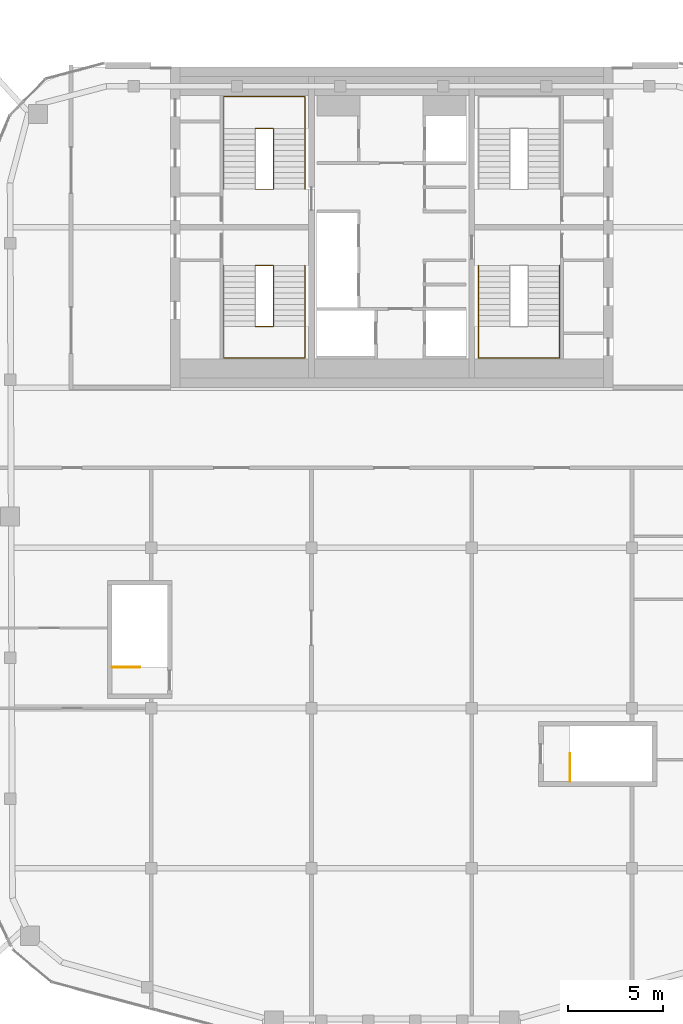
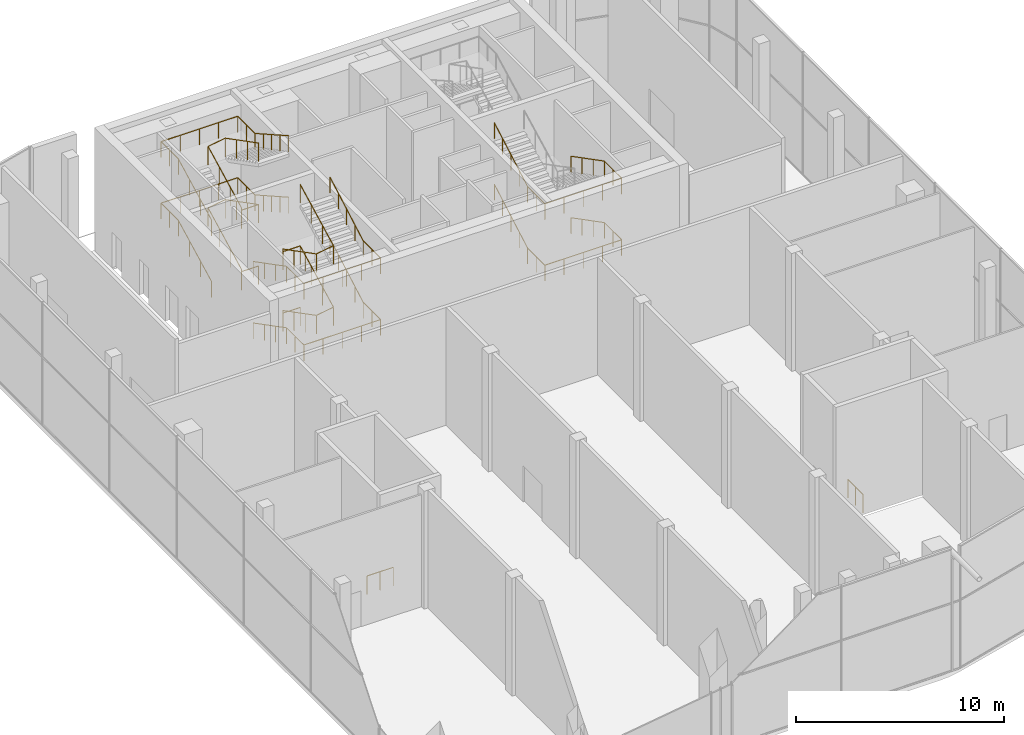
# One storey, part 22 of 23: 12 railings.
"""IFC4 building model written with IfcOpenShell, lengths in metres."""

import ifcopenshell
import ifcopenshell.guid

model = None  # the IFC model being written
_history = None  # IfcOwnerHistory: only IFC2X3 demands one
_inside = {}  # id of a spatial element -> (the spatial element, [elements in it])
_under = {}  # id of a project, library or spatial element -> (it, [spatial elements below it])
_declared = {}  # id of a project -> (the project, [libraries it declares])
_typed = {}  # id of a type object -> (the type object, [elements of that type])
_made_of = {}  # id of a material, layer set ... -> (it, [elements and type objects made of it])


def new_model(schema):
    """Start an empty IFC model of exactly this schema.

    Asked for "IFC4X3", IfcOpenShell would pick the latest addendum, in which some entities
    have other attributes; the version numbers below select the first issue.
    IFC2X3 requires an IfcOwnerHistory on every rooted entity: one is made here for all.
    """
    global model, _history
    if schema == "IFC4X3":
        model = ifcopenshell.file(schema_version=(4, 3, 0, 0))
    else:
        model = ifcopenshell.file(schema=schema)
    _inside.clear()
    _under.clear()
    _declared.clear()
    _typed.clear()
    _made_of.clear()
    _history = None
    if model.schema == "IFC2X3":
        org = make("IfcOrganization", Name="unknown")
        user = make(
            "IfcPersonAndOrganization",
            ThePerson=make("IfcPerson", FamilyName="unknown"),
            TheOrganization=org,
        )
        app = make(
            "IfcApplication",
            ApplicationDeveloper=org,
            Version="unknown",
            ApplicationFullName="unknown",
            ApplicationIdentifier="unknown",
        )
        _history = make(
            "IfcOwnerHistory",
            OwningUser=user,
            OwningApplication=app,
            ChangeAction="ADDED",
            CreationDate=0,
        )
    return model


def make(cls, **values):
    """One entity of the class cls with the attributes given. An attribute that is None is left unset."""
    return model.create_entity(
        cls, **{name: value for name, value in values.items() if value is not None}
    )


def rooted(cls, **values):
    """An entity with a GlobalId (a new one), such as an element, a storey or a relation."""
    return make(cls, GlobalId=ifcopenshell.guid.new(), OwnerHistory=_history, **values)


def si_unit(unit_type, name, prefix=None):
    """IfcSIUnit, for example si_unit("LENGTHUNIT", "METRE", prefix="MILLI")."""
    return make("IfcSIUnit", UnitType=unit_type, Prefix=prefix, Name=name)


def assignment(units):
    """IfcUnitAssignment: the units of a project."""
    return None if units is None else make("IfcUnitAssignment", Units=units)


def point(xyz):
    """IfcCartesianPoint."""
    return None if xyz is None else make("IfcCartesianPoint", Coordinates=xyz)


def direction(xyz):
    """IfcDirection."""
    return None if xyz is None else make("IfcDirection", DirectionRatios=xyz)


def frame(location, z_axis=None, x_axis=None):
    """IfcAxis2Placement3D, a coordinate frame: its origin and axes. An axis left out is left unset."""
    return make(
        "IfcAxis2Placement3D",
        Location=point(location),
        Axis=direction(z_axis),
        RefDirection=direction(x_axis),
    )


def frame_2d(location, x_axis=None):
    """IfcAxis2Placement2D, a coordinate frame in the plane: its origin and x axis."""
    return make(
        "IfcAxis2Placement2D", Location=point(location), RefDirection=direction(x_axis)
    )


def origin():
    """The frame at (0, 0, 0) with its axes left unset."""
    return frame((0.0, 0.0, 0.0))


def origin_2d():
    """The frame at (0, 0) in the plane with its x axis left unset."""
    return frame_2d((0.0, 0.0))


def place(relative_to, where):
    """IfcLocalPlacement: puts the frame where relative to a parent placement (None: the world)."""
    return make(
        "IfcLocalPlacement", PlacementRelTo=relative_to, RelativePlacement=where
    )


def context(
    kind, dimensions, precision=None, world=None, true_north=None, identifier=None
):
    """IfcGeometricRepresentationContext, for example the 3D "Model" context."""
    return make(
        "IfcGeometricRepresentationContext",
        ContextIdentifier=identifier,
        ContextType=kind,
        CoordinateSpaceDimension=dimensions,
        Precision=precision,
        WorldCoordinateSystem=world,
        TrueNorth=true_north,
    )


def subcontext(parent, identifier, kind, view, scale=None):
    """IfcGeometricRepresentationSubContext, for example "Body" below "Model"."""
    return make(
        "IfcGeometricRepresentationSubContext",
        ContextIdentifier=identifier,
        ContextType=kind,
        ParentContext=parent,
        TargetScale=scale,
        TargetView=view,
    )


def project(units=None, contexts=None):
    """IfcProject with its units and contexts."""
    return rooted(
        "IfcProject",
        Name="project",
        RepresentationContexts=contexts,
        UnitsInContext=assignment(units),
    )


def spatial(cls, under=None, at=None, **own):
    """A site, building, storey or space (cls), placed at a placement, below another one or the project."""
    s = rooted(cls, ObjectPlacement=at, **own)
    if under is not None:
        _under.setdefault(under.id(), (under, []))[1].append(s)
    return s


def profile(cls, at=None, kind="AREA", **sizes):
    """A parametric profile (cls). Its sizes go by their IFC names, for example OverallWidth=200.0."""
    return make(cls, ProfileType=kind, Position=at, **sizes)


def circle(**sizes):
    """IfcCircleProfileDef."""
    return profile("IfcCircleProfileDef", **sizes)


def extrude(swept, where, along, depth):
    """IfcExtrudedAreaSolid: the profile swept, set in the frame where, extruded along a direction by depth."""
    return make(
        "IfcExtrudedAreaSolid",
        SweptArea=swept,
        Position=where,
        ExtrudedDirection=direction(along),
        Depth=depth,
    )


def shape(context_of_items, identifier, shape_type, items):
    """IfcShapeRepresentation: the items that make up one representation, for example the "Body"."""
    return make(
        "IfcShapeRepresentation",
        ContextOfItems=context_of_items,
        RepresentationIdentifier=identifier,
        RepresentationType=shape_type,
        Items=items,
    )


def material(Name=None, Category=None):
    """IfcMaterial."""
    return make("IfcMaterial", Name=Name, Category=Category)


def made_of(thing, what):
    """Note that an element or type object is made of a material, layer set ...; save() writes the relation."""
    if what is not None:
        _made_of.setdefault(what.id(), (what, []))[1].append(thing)
    return thing


def type_object(cls, material=None, **own):
    """A type object (cls), such as IfcWallType, which elements share."""
    return made_of(rooted(cls, **own), material)


def element(
    cls,
    number,
    at=None,
    inside=None,
    cuts=None,
    type_object=None,
    material=None,
    context=None,
    identifier="Body",
    shape_type=None,
    held_by="IfcProductDefinitionShape",
    body=None,
    shapes=None,
    **own,
):
    """One element of the class cls, such as IfcWall. Its Tag is "e" and its number.

    at: its placement. inside: the storey or other place that contains it. cuts: it is an
    opening in that element (IfcRelVoidsElement). A single representation is given by context,
    identifier, shape_type and body (its items); several are given by shapes. held_by: the class
    of the entity that holds the representations. save() writes the other relations.
    """
    e = rooted(cls, Tag="e%d" % number, ObjectPlacement=at, **own)
    if body is not None:
        shapes = [shape(context, identifier, shape_type, body)]
    if shapes is not None:
        e.Representation = make(held_by, Representations=shapes)
    if inside is not None:
        _inside.setdefault(inside.id(), (inside, []))[1].append(e)
    if cuts is not None:
        rooted(
            "IfcRelVoidsElement", RelatingBuildingElement=cuts, RelatedOpeningElement=e
        )
    if type_object is not None:
        _typed.setdefault(type_object.id(), (type_object, []))[1].append(e)
    return made_of(e, material)


def aggregate(whole, parts):
    """IfcRelAggregates: a whole, such as a stair, and the parts it consists of."""
    return rooted("IfcRelAggregates", RelatingObject=whole, RelatedObjects=parts)


def save(model, path):
    """Write the relations noted so far, then the file.

    IfcRelAggregates (storeys below a building ...), IfcRelContainedInSpatialStructure (elements
    in a storey), IfcRelDefinesByType, IfcRelAssociatesMaterial and IfcRelDeclares: one each for
    every whole, place, type object, material and project.
    """
    for whole, parts in _under.values():
        aggregate(whole, parts)
    for where, things in _inside.values():
        rooted(
            "IfcRelContainedInSpatialStructure",
            RelatedElements=things,
            RelatingStructure=where,
        )
    for kind, things in _typed.values():
        rooted("IfcRelDefinesByType", RelatedObjects=things, RelatingType=kind)
    for what, things in _made_of.values():
        rooted("IfcRelAssociatesMaterial", RelatedObjects=things, RelatingMaterial=what)
    for by, libraries in _declared.values():
        rooted("IfcRelDeclares", RelatingContext=by, RelatedDefinitions=libraries)
    model.write(path)


model = new_model("IFC4")

# Units and contexts
model_context = context("Model", 3, precision=1e-05, world=origin(), true_north=direction((0.0, 1.0)))
body_context = subcontext(model_context, "Body", "Model", "MODEL_VIEW")
ifc_project = project(units=[si_unit("LENGTHUNIT", "METRE"), si_unit("AREAUNIT", "SQUARE_METRE"), si_unit("VOLUMEUNIT", "CUBIC_METRE"), si_unit("PLANEANGLEUNIT", "RADIAN"), si_unit("MASSUNIT", "GRAM", prefix="KILO")], contexts=[model_context])

# Site, building, storey
site_placement = place(None, origin())
site = spatial("IfcSite", under=ifc_project, at=site_placement, CompositionType="ELEMENT")
building_placement = place(site_placement, origin())
building = spatial("IfcBuilding", under=site, at=building_placement, Name="Marenta Gate Hotel Tower", CompositionType="ELEMENT")
storey_placement = place(building_placement, frame((0.0, 0.0, 288.5)))
storey = spatial("IfcBuildingStorey", under=building, at=storey_placement, Name="L66", CompositionType="ELEMENT", Elevation=288.5)

# Railings
ifc_material_1 = material(Name="Stainless steel", Category="steel")
railing_type_1 = type_object("IfcRailingType", Name="Core stair handrail 950", PredefinedType="HANDRAIL", material=ifc_material_1)
railing_1_placement = place(storey_placement, frame((-8.800048828125, 6.39990234375, 0.14990234375)))
element("IfcRailing", 1, at=railing_1_placement, inside=storey, type_object=railing_type_1, Name="HR-950 L66-KR-ST1-1", PredefinedType="HANDRAIL", context=body_context, shape_type="SweptSolid", body=[
    extrude(circle(Radius=0.02392578125, at=origin_2d()), frame((0.0, 0.0, 0.92578125), z_axis=(0.0, -0.888197555067, 0.459461753765), x_axis=(1.0, 0.0, 0.0)), (0.0, 0.0, 1.0), 3.591552734375),
    extrude(circle(Radius=0.02392578125, at=origin_2d()), frame((0.0, -3.18994140625, 2.576171875), z_axis=(0.0, -1.0, 0.0), x_axis=(1.0, 0.0, 0.0)), (0.0, 0.0, 1.0), 1.659912109375),
    extrude(circle(Radius=0.02392578125, at=origin_2d()), frame((0.0, -4.849853515625, 2.576171875), z_axis=(1.0, 0.0, 0.0), x_axis=(0.0, 1.0, 0.0)), (0.0, 0.0, 1.0), 4.25),
    extrude(circle(Radius=0.02392578125, at=origin_2d()), frame((4.25, -4.849853515625, 2.576171875), z_axis=(0.0, 1.0, 0.0), x_axis=(-1.0, 0.0, 0.0)), (0.0, 0.0, 1.0), 1.659912109375),
    extrude(circle(Radius=0.02392578125, at=origin_2d()), frame((4.25, -3.18994140625, 2.576171875), z_axis=(0.0, 0.87090897868, 0.491444351738), x_axis=(-1.0, 0.0, 0.0)), (0.0, 0.0, 1.0), 3.662841796875),
    extrude(circle(Radius=0.02099609375, at=origin_2d()), origin(), (0.0, 0.0, 1.0), 0.90185546875),
    extrude(circle(Radius=0.02099609375, at=origin_2d()), frame((0.0, -1.063232421875, 0.550048828125)), (0.0, 0.0, 1.0), 0.90185546875),
    extrude(circle(Radius=0.02099609375, at=origin_2d()), frame((0.0, -2.126708984375, 1.10009765625)), (0.0, 0.0, 1.0), 0.90185546875),
    extrude(circle(Radius=0.02099609375, at=origin_2d()), frame((0.0, -3.18994140625, 1.650146484375)), (0.0, 0.0, 1.0), 0.90185546875),
    extrude(circle(Radius=0.02099609375, at=origin_2d()), frame((0.0, -4.02001953125, 1.650146484375)), (0.0, 0.0, 1.0), 0.90185546875),
    extrude(circle(Radius=0.02099609375, at=origin_2d()), frame((0.0, -4.849853515625, 1.650146484375)), (0.0, 0.0, 1.0), 0.90185546875),
    extrude(circle(Radius=0.02099609375, at=origin_2d()), frame((1.0625, -4.849853515625, 1.650146484375)), (0.0, 0.0, 1.0), 0.90185546875),
    extrude(circle(Radius=0.02099609375, at=origin_2d()), frame((2.125, -4.849853515625, 1.650146484375)), (0.0, 0.0, 1.0), 0.90185546875),
    extrude(circle(Radius=0.02099609375, at=origin_2d()), frame((3.1875, -4.849853515625, 1.650146484375)), (0.0, 0.0, 1.0), 0.90185546875),
    extrude(circle(Radius=0.02099609375, at=origin_2d()), frame((4.25, -4.849853515625, 1.650146484375)), (0.0, 0.0, 1.0), 0.90185546875),
    extrude(circle(Radius=0.02099609375, at=origin_2d()), frame((4.25, -4.02001953125, 1.650146484375)), (0.0, 0.0, 1.0), 0.90185546875),
    extrude(circle(Radius=0.02099609375, at=origin_2d()), frame((4.25, -3.18994140625, 1.650146484375)), (0.0, 0.0, 1.0), 0.90185546875),
    extrude(circle(Radius=0.02099609375, at=origin_2d()), frame((4.25, -2.392578125, 2.10009765625)), (0.0, 0.0, 1.0), 0.90185546875),
    extrude(circle(Radius=0.02099609375, at=origin_2d()), frame((4.25, -1.594970703125, 2.55029296875)), (0.0, 0.0, 1.0), 0.90185546875),
    extrude(circle(Radius=0.02099609375, at=origin_2d()), frame((4.25, -0.79736328125, 3.000244140625)), (0.0, 0.0, 1.0), 0.90185546875),
    extrude(circle(Radius=0.02099609375, at=origin_2d()), frame((4.25, 0.0, 3.4501953125)), (0.0, 0.0, 1.0), 0.90185546875),
])
railing_2_placement = place(storey_placement, frame((-8.800048828125, 6.39990234375, 3.75)))
element("IfcRailing", 2, at=railing_2_placement, inside=storey, type_object=railing_type_1, Name="HR-950 L66-KR-ST1-3", PredefinedType="HANDRAIL", context=body_context, shape_type="SweptSolid", body=[
    extrude(circle(Radius=0.02392578125, at=origin_2d()), frame((0.0, 0.0, 0.92578125), z_axis=(0.0, -0.888225295554, 0.459408123936), x_axis=(1.0, 0.0, 0.0)), (0.0, 0.0, 1.0), 3.59130859375),
    extrude(circle(Radius=0.02392578125, at=origin_2d()), frame((0.0, -3.18994140625, 2.57568359375), z_axis=(0.0, -1.0, 0.0), x_axis=(1.0, 0.0, 0.0)), (0.0, 0.0, 1.0), 1.659912109375),
    extrude(circle(Radius=0.02392578125, at=origin_2d()), frame((0.0, -4.849853515625, 2.57568359375), z_axis=(1.0, 0.0, 0.0), x_axis=(0.0, 1.0, 0.0)), (0.0, 0.0, 1.0), 4.25),
    extrude(circle(Radius=0.02392578125, at=origin_2d()), frame((4.25, -4.849853515625, 2.57568359375), z_axis=(0.0, 1.0, 0.0), x_axis=(-1.0, 0.0, 0.0)), (0.0, 0.0, 1.0), 1.659912109375),
    extrude(circle(Radius=0.02392578125, at=origin_2d()), frame((4.25, -3.18994140625, 2.57568359375), z_axis=(0.0, 0.87090897868, 0.491444351738), x_axis=(-1.0, 0.0, 0.0)), (0.0, 0.0, 1.0), 3.662841796875),
    extrude(circle(Radius=0.02099609375, at=origin_2d()), origin(), (0.0, 0.0, 1.0), 0.90185546875),
    extrude(circle(Radius=0.02099609375, at=origin_2d()), frame((0.0, -1.063232421875, 0.550048828125)), (0.0, 0.0, 1.0), 0.90185546875),
    extrude(circle(Radius=0.02099609375, at=origin_2d()), frame((0.0, -2.126708984375, 1.099853515625)), (0.0, 0.0, 1.0), 0.90185546875),
    extrude(circle(Radius=0.02099609375, at=origin_2d()), frame((0.0, -3.18994140625, 1.64990234375)), (0.0, 0.0, 1.0), 0.90185546875),
    extrude(circle(Radius=0.02099609375, at=origin_2d()), frame((0.0, -4.02001953125, 1.64990234375)), (0.0, 0.0, 1.0), 0.90185546875),
    extrude(circle(Radius=0.02099609375, at=origin_2d()), frame((0.0, -4.849853515625, 1.64990234375)), (0.0, 0.0, 1.0), 0.90185546875),
    extrude(circle(Radius=0.02099609375, at=origin_2d()), frame((1.0625, -4.849853515625, 1.64990234375)), (0.0, 0.0, 1.0), 0.90185546875),
    extrude(circle(Radius=0.02099609375, at=origin_2d()), frame((2.125, -4.849853515625, 1.64990234375)), (0.0, 0.0, 1.0), 0.90185546875),
    extrude(circle(Radius=0.02099609375, at=origin_2d()), frame((3.1875, -4.849853515625, 1.64990234375)), (0.0, 0.0, 1.0), 0.90185546875),
    extrude(circle(Radius=0.02099609375, at=origin_2d()), frame((4.25, -4.849853515625, 1.64990234375)), (0.0, 0.0, 1.0), 0.90185546875),
    extrude(circle(Radius=0.02099609375, at=origin_2d()), frame((4.25, -4.02001953125, 1.64990234375)), (0.0, 0.0, 1.0), 0.90185546875),
    extrude(circle(Radius=0.02099609375, at=origin_2d()), frame((4.25, -3.18994140625, 1.64990234375)), (0.0, 0.0, 1.0), 0.90185546875),
    extrude(circle(Radius=0.02099609375, at=origin_2d()), frame((4.25, -2.392578125, 2.099853515625)), (0.0, 0.0, 1.0), 0.90185546875),
    extrude(circle(Radius=0.02099609375, at=origin_2d()), frame((4.25, -1.594970703125, 2.5498046875)), (0.0, 0.0, 1.0), 0.90185546875),
    extrude(circle(Radius=0.02099609375, at=origin_2d()), frame((4.25, -0.79736328125, 3.0)), (0.0, 0.0, 1.0), 0.90185546875),
    extrude(circle(Radius=0.02099609375, at=origin_2d()), frame((4.25, 0.0, 3.449951171875)), (0.0, 0.0, 1.0), 0.90185546875),
])
railing_3_placement = place(storey_placement, frame((-8.800048828125, 10.39990234375, 0.14990234375)))
element("IfcRailing", 3, at=railing_3_placement, inside=storey, type_object=railing_type_1, Name="HR-950 L66-KR-ST2-1", PredefinedType="HANDRAIL", context=body_context, shape_type="SweptSolid", body=[
    extrude(circle(Radius=0.02392578125, at=origin_2d()), frame((0.0, 0.0, 0.92578125), z_axis=(0.0, 0.888211904222, 0.459434013977), x_axis=(-1.0, 0.0, 0.0)), (0.0, 0.0, 1.0), 3.591796875),
    extrude(circle(Radius=0.02392578125, at=origin_2d()), frame((0.0, 3.190185546875, 2.576171875), z_axis=(0.0, 1.0, 0.0), x_axis=(-1.0, 0.0, 0.0)), (0.0, 0.0, 1.0), 1.659912109375),
    extrude(circle(Radius=0.02392578125, at=origin_2d()), frame((0.0, 4.85009765625, 2.576171875), z_axis=(1.0, 0.0, 0.0), x_axis=(0.0, 1.0, 0.0)), (0.0, 0.0, 1.0), 4.25),
    extrude(circle(Radius=0.02392578125, at=origin_2d()), frame((4.25, 4.85009765625, 2.576171875), z_axis=(0.0, -1.0, 0.0), x_axis=(1.0, 0.0, 0.0)), (0.0, 0.0, 1.0), 1.659912109375),
    extrude(circle(Radius=0.02392578125, at=origin_2d()), frame((4.25, 3.190185546875, 2.576171875), z_axis=(0.0, -0.870925075533, 0.491415824742), x_axis=(1.0, 0.0, 0.0)), (0.0, 0.0, 1.0), 3.6630859375),
    extrude(circle(Radius=0.02099609375, at=origin_2d()), origin(), (0.0, 0.0, 1.0), 0.90185546875),
    extrude(circle(Radius=0.02099609375, at=origin_2d()), frame((0.0, 1.0634765625, 0.550048828125)), (0.0, 0.0, 1.0), 0.90185546875),
    extrude(circle(Radius=0.02099609375, at=origin_2d()), frame((0.0, 2.126708984375, 1.10009765625)), (0.0, 0.0, 1.0), 0.90185546875),
    extrude(circle(Radius=0.02099609375, at=origin_2d()), frame((0.0, 3.190185546875, 1.650146484375)), (0.0, 0.0, 1.0), 0.90185546875),
    extrude(circle(Radius=0.02099609375, at=origin_2d()), frame((0.0, 4.02001953125, 1.650146484375)), (0.0, 0.0, 1.0), 0.90185546875),
    extrude(circle(Radius=0.02099609375, at=origin_2d()), frame((0.0, 4.85009765625, 1.650146484375)), (0.0, 0.0, 1.0), 0.90185546875),
    extrude(circle(Radius=0.02099609375, at=origin_2d()), frame((1.0625, 4.85009765625, 1.650146484375)), (0.0, 0.0, 1.0), 0.90185546875),
    extrude(circle(Radius=0.02099609375, at=origin_2d()), frame((2.125, 4.85009765625, 1.650146484375)), (0.0, 0.0, 1.0), 0.90185546875),
    extrude(circle(Radius=0.02099609375, at=origin_2d()), frame((3.1875, 4.85009765625, 1.650146484375)), (0.0, 0.0, 1.0), 0.90185546875),
    extrude(circle(Radius=0.02099609375, at=origin_2d()), frame((4.25, 4.85009765625, 1.650146484375)), (0.0, 0.0, 1.0), 0.90185546875),
    extrude(circle(Radius=0.02099609375, at=origin_2d()), frame((4.25, 4.02001953125, 1.650146484375)), (0.0, 0.0, 1.0), 0.90185546875),
    extrude(circle(Radius=0.02099609375, at=origin_2d()), frame((4.25, 3.190185546875, 1.650146484375)), (0.0, 0.0, 1.0), 0.90185546875),
    extrude(circle(Radius=0.02099609375, at=origin_2d()), frame((4.25, 2.392578125, 2.10009765625)), (0.0, 0.0, 1.0), 0.90185546875),
    extrude(circle(Radius=0.02099609375, at=origin_2d()), frame((4.25, 1.59521484375, 2.55029296875)), (0.0, 0.0, 1.0), 0.90185546875),
    extrude(circle(Radius=0.02099609375, at=origin_2d()), frame((4.25, 0.797607421875, 3.000244140625)), (0.0, 0.0, 1.0), 0.90185546875),
    extrude(circle(Radius=0.02099609375, at=origin_2d()), frame((4.25, 0.0, 3.4501953125)), (0.0, 0.0, 1.0), 0.90185546875),
])
railing_4_placement = place(storey_placement, frame((-8.800048828125, 10.39990234375, 3.75)))
element("IfcRailing", 4, at=railing_4_placement, inside=storey, type_object=railing_type_1, Name="HR-950 L66-KR-ST2-3", PredefinedType="HANDRAIL", context=body_context, shape_type="SweptSolid", body=[
    extrude(circle(Radius=0.02392578125, at=origin_2d()), frame((0.0, 0.0, 0.92578125), z_axis=(0.0, 0.888239641807, 0.459380385653), x_axis=(-1.0, 0.0, 0.0)), (0.0, 0.0, 1.0), 3.591552734375),
    extrude(circle(Radius=0.02392578125, at=origin_2d()), frame((0.0, 3.190185546875, 2.57568359375), z_axis=(0.0, 1.0, 0.0), x_axis=(-1.0, 0.0, 0.0)), (0.0, 0.0, 1.0), 1.659912109375),
    extrude(circle(Radius=0.02392578125, at=origin_2d()), frame((0.0, 4.85009765625, 2.57568359375), z_axis=(1.0, 0.0, 0.0), x_axis=(0.0, 1.0, 0.0)), (0.0, 0.0, 1.0), 4.25),
    extrude(circle(Radius=0.02392578125, at=origin_2d()), frame((4.25, 4.85009765625, 2.57568359375), z_axis=(0.0, -1.0, 0.0), x_axis=(1.0, 0.0, 0.0)), (0.0, 0.0, 1.0), 1.659912109375),
    extrude(circle(Radius=0.02392578125, at=origin_2d()), frame((4.25, 3.190185546875, 2.57568359375), z_axis=(0.0, -0.870925075533, 0.491415824742), x_axis=(1.0, 0.0, 0.0)), (0.0, 0.0, 1.0), 3.6630859375),
    extrude(circle(Radius=0.02099609375, at=origin_2d()), origin(), (0.0, 0.0, 1.0), 0.90185546875),
    extrude(circle(Radius=0.02099609375, at=origin_2d()), frame((0.0, 1.0634765625, 0.550048828125)), (0.0, 0.0, 1.0), 0.90185546875),
    extrude(circle(Radius=0.02099609375, at=origin_2d()), frame((0.0, 2.126708984375, 1.099853515625)), (0.0, 0.0, 1.0), 0.90185546875),
    extrude(circle(Radius=0.02099609375, at=origin_2d()), frame((0.0, 3.190185546875, 1.64990234375)), (0.0, 0.0, 1.0), 0.90185546875),
    extrude(circle(Radius=0.02099609375, at=origin_2d()), frame((0.0, 4.02001953125, 1.64990234375)), (0.0, 0.0, 1.0), 0.90185546875),
    extrude(circle(Radius=0.02099609375, at=origin_2d()), frame((0.0, 4.85009765625, 1.64990234375)), (0.0, 0.0, 1.0), 0.90185546875),
    extrude(circle(Radius=0.02099609375, at=origin_2d()), frame((1.0625, 4.85009765625, 1.64990234375)), (0.0, 0.0, 1.0), 0.90185546875),
    extrude(circle(Radius=0.02099609375, at=origin_2d()), frame((2.125, 4.85009765625, 1.64990234375)), (0.0, 0.0, 1.0), 0.90185546875),
    extrude(circle(Radius=0.02099609375, at=origin_2d()), frame((3.1875, 4.85009765625, 1.64990234375)), (0.0, 0.0, 1.0), 0.90185546875),
    extrude(circle(Radius=0.02099609375, at=origin_2d()), frame((4.25, 4.85009765625, 1.64990234375)), (0.0, 0.0, 1.0), 0.90185546875),
    extrude(circle(Radius=0.02099609375, at=origin_2d()), frame((4.25, 4.02001953125, 1.64990234375)), (0.0, 0.0, 1.0), 0.90185546875),
    extrude(circle(Radius=0.02099609375, at=origin_2d()), frame((4.25, 3.190185546875, 1.64990234375)), (0.0, 0.0, 1.0), 0.90185546875),
    extrude(circle(Radius=0.02099609375, at=origin_2d()), frame((4.25, 2.392578125, 2.099853515625)), (0.0, 0.0, 1.0), 0.90185546875),
    extrude(circle(Radius=0.02099609375, at=origin_2d()), frame((4.25, 1.59521484375, 2.5498046875)), (0.0, 0.0, 1.0), 0.90185546875),
    extrude(circle(Radius=0.02099609375, at=origin_2d()), frame((4.25, 0.797607421875, 3.0)), (0.0, 0.0, 1.0), 0.90185546875),
    extrude(circle(Radius=0.02099609375, at=origin_2d()), frame((4.25, 0.0, 3.449951171875)), (0.0, 0.0, 1.0), 0.90185546875),
])
railing_5_placement = place(storey_placement, frame((8.800048828125, 6.39990234375, 0.14990234375)))
element("IfcRailing", 5, at=railing_5_placement, inside=storey, type_object=railing_type_1, Name="HR-950 L66-KR-ST3-1", PredefinedType="HANDRAIL", context=body_context, shape_type="SweptSolid", body=[
    extrude(circle(Radius=0.02392578125, at=origin_2d()), frame((0.0, 0.0, 0.92578125), z_axis=(0.0, -0.888197555067, 0.459461753765), x_axis=(1.0, 0.0, 0.0)), (0.0, 0.0, 1.0), 3.591552734375),
    extrude(circle(Radius=0.02392578125, at=origin_2d()), frame((0.0, -3.18994140625, 2.576171875), z_axis=(0.0, -1.0, 0.0), x_axis=(1.0, 0.0, 0.0)), (0.0, 0.0, 1.0), 1.659912109375),
    extrude(circle(Radius=0.02392578125, at=origin_2d()), frame((0.0, -4.849853515625, 2.576171875), z_axis=(-1.0, 0.0, 0.0), x_axis=(0.0, -1.0, 0.0)), (0.0, 0.0, 1.0), 4.25),
    extrude(circle(Radius=0.02392578125, at=origin_2d()), frame((-4.25, -4.849853515625, 2.576171875), z_axis=(0.0, 1.0, 0.0), x_axis=(-1.0, 0.0, 0.0)), (0.0, 0.0, 1.0), 1.659912109375),
    extrude(circle(Radius=0.02392578125, at=origin_2d()), frame((-4.25, -3.18994140625, 2.576171875), z_axis=(0.0, 0.87090897868, 0.491444351738), x_axis=(-1.0, 0.0, 0.0)), (0.0, 0.0, 1.0), 3.662841796875),
    extrude(circle(Radius=0.02099609375, at=origin_2d()), origin(), (0.0, 0.0, 1.0), 0.90185546875),
    extrude(circle(Radius=0.02099609375, at=origin_2d()), frame((0.0, -1.063232421875, 0.550048828125)), (0.0, 0.0, 1.0), 0.90185546875),
    extrude(circle(Radius=0.02099609375, at=origin_2d()), frame((0.0, -2.126708984375, 1.10009765625)), (0.0, 0.0, 1.0), 0.90185546875),
    extrude(circle(Radius=0.02099609375, at=origin_2d()), frame((0.0, -3.18994140625, 1.650146484375)), (0.0, 0.0, 1.0), 0.90185546875),
    extrude(circle(Radius=0.02099609375, at=origin_2d()), frame((0.0, -4.02001953125, 1.650146484375)), (0.0, 0.0, 1.0), 0.90185546875),
    extrude(circle(Radius=0.02099609375, at=origin_2d()), frame((0.0, -4.849853515625, 1.650146484375)), (0.0, 0.0, 1.0), 0.90185546875),
    extrude(circle(Radius=0.02099609375, at=origin_2d()), frame((-1.0625, -4.849853515625, 1.650146484375)), (0.0, 0.0, 1.0), 0.90185546875),
    extrude(circle(Radius=0.02099609375, at=origin_2d()), frame((-2.125, -4.849853515625, 1.650146484375)), (0.0, 0.0, 1.0), 0.90185546875),
    extrude(circle(Radius=0.02099609375, at=origin_2d()), frame((-3.1875, -4.849853515625, 1.650146484375)), (0.0, 0.0, 1.0), 0.90185546875),
    extrude(circle(Radius=0.02099609375, at=origin_2d()), frame((-4.25, -4.849853515625, 1.650146484375)), (0.0, 0.0, 1.0), 0.90185546875),
    extrude(circle(Radius=0.02099609375, at=origin_2d()), frame((-4.25, -4.02001953125, 1.650146484375)), (0.0, 0.0, 1.0), 0.90185546875),
    extrude(circle(Radius=0.02099609375, at=origin_2d()), frame((-4.25, -3.18994140625, 1.650146484375)), (0.0, 0.0, 1.0), 0.90185546875),
    extrude(circle(Radius=0.02099609375, at=origin_2d()), frame((-4.25, -2.392578125, 2.10009765625)), (0.0, 0.0, 1.0), 0.90185546875),
    extrude(circle(Radius=0.02099609375, at=origin_2d()), frame((-4.25, -1.594970703125, 2.55029296875)), (0.0, 0.0, 1.0), 0.90185546875),
    extrude(circle(Radius=0.02099609375, at=origin_2d()), frame((-4.25, -0.79736328125, 3.000244140625)), (0.0, 0.0, 1.0), 0.90185546875),
    extrude(circle(Radius=0.02099609375, at=origin_2d()), frame((-4.25, 0.0, 3.4501953125)), (0.0, 0.0, 1.0), 0.90185546875),
])
railing_6_placement = place(storey_placement, frame((8.800048828125, 6.39990234375, 3.75)))
element("IfcRailing", 6, at=railing_6_placement, inside=storey, type_object=railing_type_1, Name="HR-950 L66-KR-ST3-3", PredefinedType="HANDRAIL", context=body_context, shape_type="SweptSolid", body=[
    extrude(circle(Radius=0.02392578125, at=origin_2d()), frame((0.0, 0.0, 0.92578125), z_axis=(0.0, -0.888225295554, 0.459408123936), x_axis=(1.0, 0.0, 0.0)), (0.0, 0.0, 1.0), 3.59130859375),
    extrude(circle(Radius=0.02392578125, at=origin_2d()), frame((0.0, -3.18994140625, 2.57568359375), z_axis=(0.0, -1.0, 0.0), x_axis=(1.0, 0.0, 0.0)), (0.0, 0.0, 1.0), 1.659912109375),
    extrude(circle(Radius=0.02392578125, at=origin_2d()), frame((0.0, -4.849853515625, 2.57568359375), z_axis=(-1.0, 0.0, 0.0), x_axis=(0.0, -1.0, 0.0)), (0.0, 0.0, 1.0), 4.25),
    extrude(circle(Radius=0.02392578125, at=origin_2d()), frame((-4.25, -4.849853515625, 2.57568359375), z_axis=(0.0, 1.0, 0.0), x_axis=(-1.0, 0.0, 0.0)), (0.0, 0.0, 1.0), 1.659912109375),
    extrude(circle(Radius=0.02392578125, at=origin_2d()), frame((-4.25, -3.18994140625, 2.57568359375), z_axis=(0.0, 0.87090897868, 0.491444351738), x_axis=(-1.0, 0.0, 0.0)), (0.0, 0.0, 1.0), 3.662841796875),
    extrude(circle(Radius=0.02099609375, at=origin_2d()), origin(), (0.0, 0.0, 1.0), 0.90185546875),
    extrude(circle(Radius=0.02099609375, at=origin_2d()), frame((0.0, -1.063232421875, 0.550048828125)), (0.0, 0.0, 1.0), 0.90185546875),
    extrude(circle(Radius=0.02099609375, at=origin_2d()), frame((0.0, -2.126708984375, 1.099853515625)), (0.0, 0.0, 1.0), 0.90185546875),
    extrude(circle(Radius=0.02099609375, at=origin_2d()), frame((0.0, -3.18994140625, 1.64990234375)), (0.0, 0.0, 1.0), 0.90185546875),
    extrude(circle(Radius=0.02099609375, at=origin_2d()), frame((0.0, -4.02001953125, 1.64990234375)), (0.0, 0.0, 1.0), 0.90185546875),
    extrude(circle(Radius=0.02099609375, at=origin_2d()), frame((0.0, -4.849853515625, 1.64990234375)), (0.0, 0.0, 1.0), 0.90185546875),
    extrude(circle(Radius=0.02099609375, at=origin_2d()), frame((-1.0625, -4.849853515625, 1.64990234375)), (0.0, 0.0, 1.0), 0.90185546875),
    extrude(circle(Radius=0.02099609375, at=origin_2d()), frame((-2.125, -4.849853515625, 1.64990234375)), (0.0, 0.0, 1.0), 0.90185546875),
    extrude(circle(Radius=0.02099609375, at=origin_2d()), frame((-3.1875, -4.849853515625, 1.64990234375)), (0.0, 0.0, 1.0), 0.90185546875),
    extrude(circle(Radius=0.02099609375, at=origin_2d()), frame((-4.25, -4.849853515625, 1.64990234375)), (0.0, 0.0, 1.0), 0.90185546875),
    extrude(circle(Radius=0.02099609375, at=origin_2d()), frame((-4.25, -4.02001953125, 1.64990234375)), (0.0, 0.0, 1.0), 0.90185546875),
    extrude(circle(Radius=0.02099609375, at=origin_2d()), frame((-4.25, -3.18994140625, 1.64990234375)), (0.0, 0.0, 1.0), 0.90185546875),
    extrude(circle(Radius=0.02099609375, at=origin_2d()), frame((-4.25, -2.392578125, 2.099853515625)), (0.0, 0.0, 1.0), 0.90185546875),
    extrude(circle(Radius=0.02099609375, at=origin_2d()), frame((-4.25, -1.594970703125, 2.5498046875)), (0.0, 0.0, 1.0), 0.90185546875),
    extrude(circle(Radius=0.02099609375, at=origin_2d()), frame((-4.25, -0.79736328125, 3.0)), (0.0, 0.0, 1.0), 0.90185546875),
    extrude(circle(Radius=0.02099609375, at=origin_2d()), frame((-4.25, 0.0, 3.449951171875)), (0.0, 0.0, 1.0), 0.90185546875),
])
ifc_material_2 = material(Name="Stainless steel", Category="steel")
railing_type_2 = type_object("IfcRailingType", Name="Core stair well guard 1100", PredefinedType="GUARDRAIL", material=ifc_material_2)
railing_7_placement = place(storey_placement, frame((-6.199951171875, 6.39990234375, 0.0)))
element("IfcRailing", 7, at=railing_7_placement, inside=storey, type_object=railing_type_2, Name="GR-1100 L66-KR-ST1-2", PredefinedType="GUARDRAIL", context=body_context, shape_type="SweptSolid", body=[
    extrude(circle(Radius=0.02392578125, at=origin_2d()), frame((0.0, 0.0, 1.076171875), z_axis=(-1.0, 0.0, 0.0), x_axis=(0.0, -1.0, 0.0)), (0.0, 0.0, 1.0), 0.949951171875),
    extrude(circle(Radius=0.02392578125, at=origin_2d()), frame((-0.949951171875, 0.0, 1.076171875), z_axis=(0.0, 0.0, 1.0), x_axis=(1.0, 0.0, 0.0)), (0.0, 0.0, 1.0), 0.14990234375),
    extrude(circle(Radius=0.02392578125, at=origin_2d()), frame((-0.949951171875, 0.0, 1.22607421875), z_axis=(0.0, -0.888197555067, 0.459461753765), x_axis=(1.0, 0.0, 0.0)), (0.0, 0.0, 1.0), 3.591552734375),
    extrude(circle(Radius=0.02392578125, at=origin_2d()), frame((-0.949951171875, -3.18994140625, 2.8759765625), z_axis=(0.987777369502, 0.0, 0.15587131968), x_axis=(0.0, 1.0, 0.0)), (0.0, 0.0, 1.0), 0.961669921875),
    extrude(circle(Radius=0.02392578125, at=origin_2d()), frame((0.0, -3.18994140625, 3.02587890625), z_axis=(0.0, 0.888197555067, 0.459461753765), x_axis=(-1.0, 0.0, 0.0)), (0.0, 0.0, 1.0), 3.591552734375),
    extrude(circle(Radius=0.02099609375, at=origin_2d()), origin(), (0.0, 0.0, 1.0), 1.052001953125),
    extrude(circle(Radius=0.02099609375, at=origin_2d()), frame((-0.949951171875, 0.0, 0.0)), (0.0, 0.0, 1.0), 1.052001953125),
    extrude(circle(Radius=0.02099609375, at=origin_2d()), frame((-0.949951171875, 0.0, 0.14990234375)), (0.0, 0.0, 1.0), 1.052001953125),
    extrude(circle(Radius=0.02099609375, at=origin_2d()), frame((-0.949951171875, -1.063232421875, 0.699951171875)), (0.0, 0.0, 1.0), 1.052001953125),
    extrude(circle(Radius=0.02099609375, at=origin_2d()), frame((-0.949951171875, -2.126708984375, 1.25)), (0.0, 0.0, 1.0), 1.052001953125),
    extrude(circle(Radius=0.02099609375, at=origin_2d()), frame((-0.949951171875, -3.18994140625, 1.800048828125)), (0.0, 0.0, 1.0), 1.052001953125),
    extrude(circle(Radius=0.02099609375, at=origin_2d()), frame((0.0, -3.18994140625, 1.949951171875)), (0.0, 0.0, 1.0), 1.052001953125),
    extrude(circle(Radius=0.02099609375, at=origin_2d()), frame((0.0, -2.126708984375, 2.5)), (0.0, 0.0, 1.0), 1.052001953125),
    extrude(circle(Radius=0.02099609375, at=origin_2d()), frame((0.0, -1.063232421875, 3.050048828125)), (0.0, 0.0, 1.0), 1.052001953125),
    extrude(circle(Radius=0.02099609375, at=origin_2d()), frame((0.0, 0.0, 3.60009765625)), (0.0, 0.0, 1.0), 1.052001953125),
])
railing_8_placement = place(storey_placement, frame((-6.199951171875, 6.39990234375, 3.60009765625)))
element("IfcRailing", 8, at=railing_8_placement, inside=storey, type_object=railing_type_2, Name="GR-1100 L66-KR-ST1-4", PredefinedType="GUARDRAIL", context=body_context, shape_type="SweptSolid", body=[
    extrude(circle(Radius=0.02392578125, at=origin_2d()), frame((0.0, 0.0, 1.076171875), z_axis=(-1.0, 0.0, 0.0), x_axis=(0.0, -1.0, 0.0)), (0.0, 0.0, 1.0), 0.949951171875),
    extrude(circle(Radius=0.02392578125, at=origin_2d()), frame((-0.949951171875, 0.0, 1.076171875), z_axis=(0.0, 0.0, 1.0), x_axis=(1.0, 0.0, 0.0)), (0.0, 0.0, 1.0), 0.14990234375),
    extrude(circle(Radius=0.02392578125, at=origin_2d()), frame((-0.949951171875, 0.0, 1.22607421875), z_axis=(0.0, -0.888225295554, 0.459408123936), x_axis=(1.0, 0.0, 0.0)), (0.0, 0.0, 1.0), 3.59130859375),
    extrude(circle(Radius=0.02392578125, at=origin_2d()), frame((-0.949951171875, -3.18994140625, 2.8759765625), z_axis=(0.987738253826, 0.0, 0.156118999255), x_axis=(0.0, 1.0, 0.0)), (0.0, 0.0, 1.0), 0.961669921875),
    extrude(circle(Radius=0.02392578125, at=origin_2d()), frame((0.0, -3.18994140625, 3.02587890625), z_axis=(0.0, 0.888225295554, 0.459408123936), x_axis=(-1.0, 0.0, 0.0)), (0.0, 0.0, 1.0), 3.59130859375),
    extrude(circle(Radius=0.02099609375, at=origin_2d()), origin(), (0.0, 0.0, 1.0), 1.052001953125),
    extrude(circle(Radius=0.02099609375, at=origin_2d()), frame((-0.949951171875, 0.0, 0.0)), (0.0, 0.0, 1.0), 1.052001953125),
    extrude(circle(Radius=0.02099609375, at=origin_2d()), frame((-0.949951171875, 0.0, 0.14990234375)), (0.0, 0.0, 1.0), 1.052001953125),
    extrude(circle(Radius=0.02099609375, at=origin_2d()), frame((-0.949951171875, -1.063232421875, 0.699951171875)), (0.0, 0.0, 1.0), 1.052001953125),
    extrude(circle(Radius=0.02099609375, at=origin_2d()), frame((-0.949951171875, -2.126708984375, 1.249755859375)), (0.0, 0.0, 1.0), 1.052001953125),
    extrude(circle(Radius=0.02099609375, at=origin_2d()), frame((-0.949951171875, -3.18994140625, 1.7998046875)), (0.0, 0.0, 1.0), 1.052001953125),
    extrude(circle(Radius=0.02099609375, at=origin_2d()), frame((0.0, -3.18994140625, 1.949951171875)), (0.0, 0.0, 1.0), 1.052001953125),
    extrude(circle(Radius=0.02099609375, at=origin_2d()), frame((0.0, -2.126708984375, 2.5)), (0.0, 0.0, 1.0), 1.052001953125),
    extrude(circle(Radius=0.02099609375, at=origin_2d()), frame((0.0, -1.063232421875, 3.0498046875)), (0.0, 0.0, 1.0), 1.052001953125),
    extrude(circle(Radius=0.02099609375, at=origin_2d()), frame((0.0, 0.0, 3.599853515625)), (0.0, 0.0, 1.0), 1.052001953125),
])
railing_9_placement = place(storey_placement, frame((-6.199951171875, 10.39990234375, 0.0)))
element("IfcRailing", 9, at=railing_9_placement, inside=storey, type_object=railing_type_2, Name="GR-1100 L66-KR-ST2-2", PredefinedType="GUARDRAIL", context=body_context, shape_type="SweptSolid", body=[
    extrude(circle(Radius=0.02392578125, at=origin_2d()), frame((0.0, 0.0, 1.076171875), z_axis=(-1.0, 0.0, 0.0), x_axis=(0.0, -1.0, 0.0)), (0.0, 0.0, 1.0), 0.949951171875),
    extrude(circle(Radius=0.02392578125, at=origin_2d()), frame((-0.949951171875, 0.0, 1.076171875), z_axis=(0.0, 0.0, 1.0), x_axis=(1.0, 0.0, 0.0)), (0.0, 0.0, 1.0), 0.14990234375),
    extrude(circle(Radius=0.02392578125, at=origin_2d()), frame((-0.949951171875, 0.0, 1.22607421875), z_axis=(0.0, 0.888211904222, 0.459434013977), x_axis=(-1.0, 0.0, 0.0)), (0.0, 0.0, 1.0), 3.591796875),
    extrude(circle(Radius=0.02392578125, at=origin_2d()), frame((-0.949951171875, 3.190185546875, 2.8759765625), z_axis=(0.987777369502, 0.0, 0.15587131968), x_axis=(0.0, 1.0, 0.0)), (0.0, 0.0, 1.0), 0.961669921875),
    extrude(circle(Radius=0.02392578125, at=origin_2d()), frame((0.0, 3.190185546875, 3.02587890625), z_axis=(0.0, -0.888211904222, 0.459434013977), x_axis=(1.0, 0.0, 0.0)), (0.0, 0.0, 1.0), 3.591796875),
    extrude(circle(Radius=0.02099609375, at=origin_2d()), origin(), (0.0, 0.0, 1.0), 1.052001953125),
    extrude(circle(Radius=0.02099609375, at=origin_2d()), frame((-0.949951171875, 0.0, 0.0)), (0.0, 0.0, 1.0), 1.052001953125),
    extrude(circle(Radius=0.02099609375, at=origin_2d()), frame((-0.949951171875, 0.0, 0.14990234375)), (0.0, 0.0, 1.0), 1.052001953125),
    extrude(circle(Radius=0.02099609375, at=origin_2d()), frame((-0.949951171875, 1.0634765625, 0.699951171875)), (0.0, 0.0, 1.0), 1.052001953125),
    extrude(circle(Radius=0.02099609375, at=origin_2d()), frame((-0.949951171875, 2.126708984375, 1.25)), (0.0, 0.0, 1.0), 1.052001953125),
    extrude(circle(Radius=0.02099609375, at=origin_2d()), frame((-0.949951171875, 3.190185546875, 1.800048828125)), (0.0, 0.0, 1.0), 1.052001953125),
    extrude(circle(Radius=0.02099609375, at=origin_2d()), frame((0.0, 3.190185546875, 1.949951171875)), (0.0, 0.0, 1.0), 1.052001953125),
    extrude(circle(Radius=0.02099609375, at=origin_2d()), frame((0.0, 2.126708984375, 2.5)), (0.0, 0.0, 1.0), 1.052001953125),
    extrude(circle(Radius=0.02099609375, at=origin_2d()), frame((0.0, 1.0634765625, 3.050048828125)), (0.0, 0.0, 1.0), 1.052001953125),
    extrude(circle(Radius=0.02099609375, at=origin_2d()), frame((0.0, 0.0, 3.60009765625)), (0.0, 0.0, 1.0), 1.052001953125),
])
railing_10_placement = place(storey_placement, frame((-6.199951171875, 10.39990234375, 3.60009765625)))
element("IfcRailing", 10, at=railing_10_placement, inside=storey, type_object=railing_type_2, Name="GR-1100 L66-KR-ST2-4", PredefinedType="GUARDRAIL", context=body_context, shape_type="SweptSolid", body=[
    extrude(circle(Radius=0.02392578125, at=origin_2d()), frame((0.0, 0.0, 1.076171875), z_axis=(-1.0, 0.0, 0.0), x_axis=(0.0, -1.0, 0.0)), (0.0, 0.0, 1.0), 0.949951171875),
    extrude(circle(Radius=0.02392578125, at=origin_2d()), frame((-0.949951171875, 0.0, 1.076171875), z_axis=(0.0, 0.0, 1.0), x_axis=(1.0, 0.0, 0.0)), (0.0, 0.0, 1.0), 0.14990234375),
    extrude(circle(Radius=0.02392578125, at=origin_2d()), frame((-0.949951171875, 0.0, 1.22607421875), z_axis=(0.0, 0.888239641807, 0.459380385653), x_axis=(-1.0, 0.0, 0.0)), (0.0, 0.0, 1.0), 3.591552734375),
    extrude(circle(Radius=0.02392578125, at=origin_2d()), frame((-0.949951171875, 3.190185546875, 2.8759765625), z_axis=(0.987738253826, 0.0, 0.156118999255), x_axis=(0.0, 1.0, 0.0)), (0.0, 0.0, 1.0), 0.961669921875),
    extrude(circle(Radius=0.02392578125, at=origin_2d()), frame((0.0, 3.190185546875, 3.02587890625), z_axis=(0.0, -0.888239641807, 0.459380385653), x_axis=(1.0, 0.0, 0.0)), (0.0, 0.0, 1.0), 3.591552734375),
    extrude(circle(Radius=0.02099609375, at=origin_2d()), origin(), (0.0, 0.0, 1.0), 1.052001953125),
    extrude(circle(Radius=0.02099609375, at=origin_2d()), frame((-0.949951171875, 0.0, 0.0)), (0.0, 0.0, 1.0), 1.052001953125),
    extrude(circle(Radius=0.02099609375, at=origin_2d()), frame((-0.949951171875, 0.0, 0.14990234375)), (0.0, 0.0, 1.0), 1.052001953125),
    extrude(circle(Radius=0.02099609375, at=origin_2d()), frame((-0.949951171875, 1.0634765625, 0.699951171875)), (0.0, 0.0, 1.0), 1.052001953125),
    extrude(circle(Radius=0.02099609375, at=origin_2d()), frame((-0.949951171875, 2.126708984375, 1.249755859375)), (0.0, 0.0, 1.0), 1.052001953125),
    extrude(circle(Radius=0.02099609375, at=origin_2d()), frame((-0.949951171875, 3.190185546875, 1.7998046875)), (0.0, 0.0, 1.0), 1.052001953125),
    extrude(circle(Radius=0.02099609375, at=origin_2d()), frame((0.0, 3.190185546875, 1.949951171875)), (0.0, 0.0, 1.0), 1.052001953125),
    extrude(circle(Radius=0.02099609375, at=origin_2d()), frame((0.0, 2.126708984375, 2.5)), (0.0, 0.0, 1.0), 1.052001953125),
    extrude(circle(Radius=0.02099609375, at=origin_2d()), frame((0.0, 1.0634765625, 3.0498046875)), (0.0, 0.0, 1.0), 1.052001953125),
    extrude(circle(Radius=0.02099609375, at=origin_2d()), frame((0.0, 0.0, 3.599853515625)), (0.0, 0.0, 1.0), 1.052001953125),
])
railing_11_placement = place(storey_placement, frame((9.35009765625, -20.64990234375, 0.0)))
element("IfcRailing", 11, at=railing_11_placement, inside=storey, type_object=railing_type_2, Name="GR-1100 L66-RS-Z4-1-KR-1", PredefinedType="GUARDRAIL", context=body_context, shape_type="SweptSolid", body=[
    extrude(circle(Radius=0.02392578125, at=origin_2d()), frame((0.0, 0.0, 1.076171875), z_axis=(0.0, 1.0, 0.0), x_axis=(-1.0, 0.0, 0.0)), (0.0, 0.0, 1.0), 1.449951171875),
    extrude(circle(Radius=0.02099609375, at=origin_2d()), origin(), (0.0, 0.0, 1.0), 1.052001953125),
    extrude(circle(Radius=0.02099609375, at=origin_2d()), frame((0.0, 0.72509765625, 0.0)), (0.0, 0.0, 1.0), 1.052001953125),
    extrude(circle(Radius=0.02099609375, at=origin_2d()), frame((0.0, 1.449951171875, 0.0)), (0.0, 0.0, 1.0), 1.052001953125),
])
railing_12_placement = place(storey_placement, frame((-14.64990234375, -14.64990234375, 0.0)))
element("IfcRailing", 12, at=railing_12_placement, inside=storey, type_object=railing_type_2, Name="GR-1100 L66-RS-Z4-2-KR-1", PredefinedType="GUARDRAIL", context=body_context, shape_type="SweptSolid", body=[
    extrude(circle(Radius=0.02392578125, at=origin_2d()), frame((0.0, 0.0, 1.076171875), z_axis=(1.0, 0.0, 0.0), x_axis=(0.0, 1.0, 0.0)), (0.0, 0.0, 1.0), 1.449951171875),
    extrude(circle(Radius=0.02099609375, at=origin_2d()), origin(), (0.0, 0.0, 1.0), 1.052001953125),
    extrude(circle(Radius=0.02099609375, at=origin_2d()), frame((0.72509765625, 0.0, 0.0)), (0.0, 0.0, 1.0), 1.052001953125),
    extrude(circle(Radius=0.02099609375, at=origin_2d()), frame((1.449951171875, 0.0, 0.0)), (0.0, 0.0, 1.0), 1.052001953125),
])

save(model, "model.ifc")
